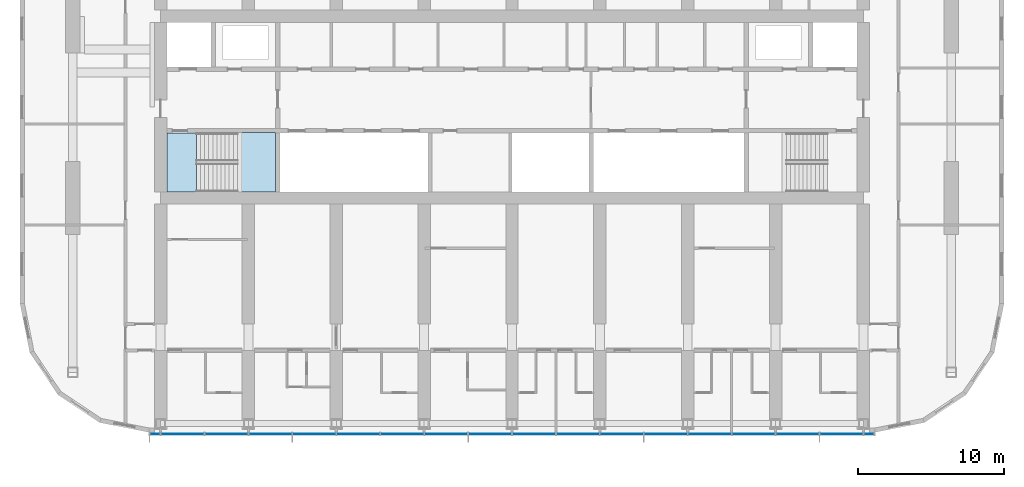
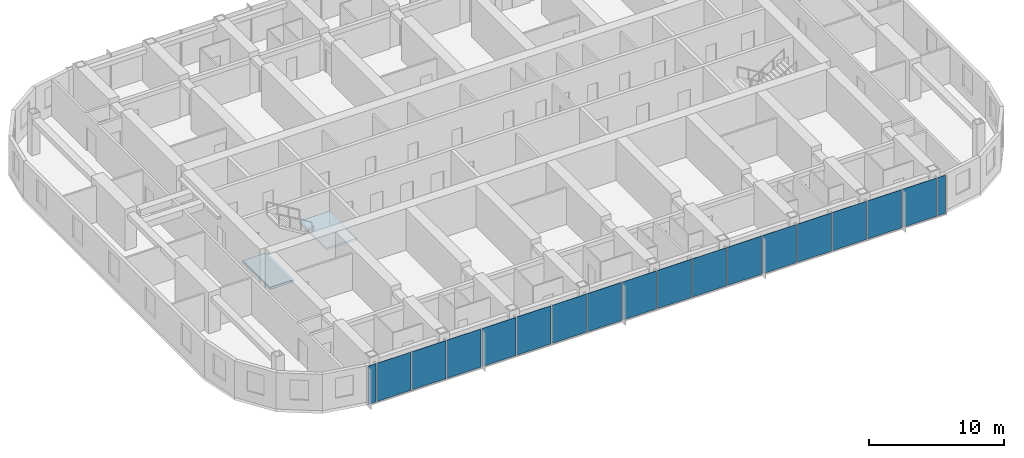
# One storey, part 7 of 23: 18 plates, 2 slabs, 2 elements without a shape of their own.
"""IFC4 building model written with IfcOpenShell, lengths in metres."""

from ifc_helpers import new_model, si_unit, direction, frame, origin, origin_2d, place, context, subcontext, project, spatial, polyline, rectangle, outline, extrude, material, layer, layer_set, type_object, element, aggregate, save


model = new_model("IFC4")

# Units and contexts
model_context = context("Model", 3, precision=1e-05, world=origin(), true_north=direction((0.0, 1.0)))
body_context = subcontext(model_context, "Body", "Model", "MODEL_VIEW")
ifc_project = project(units=[si_unit("LENGTHUNIT", "METRE"), si_unit("AREAUNIT", "SQUARE_METRE"), si_unit("VOLUMEUNIT", "CUBIC_METRE"), si_unit("PLANEANGLEUNIT", "RADIAN"), si_unit("MASSUNIT", "GRAM", prefix="KILO")], contexts=[model_context])

# Site, building, storey
site_placement = place(None, origin())
site = spatial("IfcSite", under=ifc_project, at=site_placement, CompositionType="ELEMENT")
building_placement = place(site_placement, origin())
building = spatial("IfcBuilding", under=site, at=building_placement, Name="Orbita Commons", CompositionType="ELEMENT")
storey_placement = place(building_placement, frame((0.0, 0.0, 174.85009765625)))
storey = spatial("IfcBuildingStorey", under=building, at=storey_placement, Name="L43", CompositionType="ELEMENT", Elevation=174.85009765625)

# Curtain wall, plates
ifc_material_1 = material(Name="Anodised aluminium frame, pale silver", Category="aluminium")
curtain_wall_type = type_object("IfcCurtainWallType", Name="Unitised curtain wall CW-U, full-height vision", PredefinedType="NOTDEFINED", material=ifc_material_1)
curtain_wall_placement = place(storey_placement, origin())
curtain_wall = element("IfcCurtainWall", 1, at=curtain_wall_placement, inside=storey, type_object=curtain_wall_type, Name="Curtain wall south L43", PredefinedType="NOTDEFINED")
ifc_material_2 = material(Name="Clear double glazing", Category="glass")
ifc_layer_1 = layer(ifc_material_2, 0.031982421875)
ifc_layer_set_1 = layer_set([ifc_layer_1], Name="Clear double glazing")
plate_type = type_object("IfcPlateType", Name="Full-height vision panel, clear glazing 32", PredefinedType="CURTAIN_PANEL", material=ifc_layer_set_1)
plate_1_placement = place(storey_placement, frame((17.6201171875, 9.68994140625, -0.14990234375), z_axis=(0.0, 0.0, 1.0), x_axis=(1.0, 0.0, 0.0)))
plate_1 = element("IfcPlate", 2, at=plate_1_placement, type_object=plate_type, Name="Panel 1.1 CW-L43-S", PredefinedType="CURTAIN_PANEL", context=body_context, shape_type="SweptSolid", body=[
    extrude(rectangle(XDim=0.679931640625, YDim=0.031982421875, at=origin_2d()), origin(), (0.0, 0.0, 1.0), 3.449951171875),
])
plate_2_placement = place(storey_placement, frame((19.5, 9.68994140625, -0.14990234375), z_axis=(0.0, 0.0, 1.0), x_axis=(1.0, 0.0, 0.0)))
plate_2 = element("IfcPlate", 3, at=plate_2_placement, type_object=plate_type, Name="Panel 2.1 CW-L43-S", PredefinedType="CURTAIN_PANEL", context=body_context, shape_type="SweptSolid", body=[
    extrude(rectangle(XDim=2.919921875, YDim=0.031982421875, at=origin_2d()), origin(), (0.0, 0.0, 1.0), 3.449951171875),
])
plate_3_placement = place(storey_placement, frame((22.5, 9.68994140625, -0.14990234375), z_axis=(0.0, 0.0, 1.0), x_axis=(1.0, 0.0, 0.0)))
plate_3 = element("IfcPlate", 4, at=plate_3_placement, type_object=plate_type, Name="Panel 3.1 CW-L43-S", PredefinedType="CURTAIN_PANEL", context=body_context, shape_type="SweptSolid", body=[
    extrude(rectangle(XDim=2.919921875, YDim=0.031982421875, at=origin_2d()), origin(), (0.0, 0.0, 1.0), 3.449951171875),
])
plate_4_placement = place(storey_placement, frame((25.5, 9.68994140625, -0.14990234375), z_axis=(0.0, 0.0, 1.0), x_axis=(1.0, 0.0, 0.0)))
plate_4 = element("IfcPlate", 5, at=plate_4_placement, type_object=plate_type, Name="Panel 4.1 CW-L43-S", PredefinedType="CURTAIN_PANEL", context=body_context, shape_type="SweptSolid", body=[
    extrude(rectangle(XDim=2.919921875, YDim=0.031982421875, at=origin_2d()), origin(), (0.0, 0.0, 1.0), 3.449951171875),
])
plate_5_placement = place(storey_placement, frame((28.5, 9.68994140625, -0.14990234375), z_axis=(0.0, 0.0, 1.0), x_axis=(1.0, 0.0, 0.0)))
plate_5 = element("IfcPlate", 6, at=plate_5_placement, type_object=plate_type, Name="Panel 5.1 CW-L43-S", PredefinedType="CURTAIN_PANEL", context=body_context, shape_type="SweptSolid", body=[
    extrude(rectangle(XDim=2.919921875, YDim=0.031982421875, at=origin_2d()), origin(), (0.0, 0.0, 1.0), 3.449951171875),
])
plate_6_placement = place(storey_placement, frame((31.5, 9.68994140625, -0.14990234375), z_axis=(0.0, 0.0, 1.0), x_axis=(1.0, 0.0, 0.0)))
plate_6 = element("IfcPlate", 7, at=plate_6_placement, type_object=plate_type, Name="Panel 6.1 CW-L43-S", PredefinedType="CURTAIN_PANEL", context=body_context, shape_type="SweptSolid", body=[
    extrude(rectangle(XDim=2.919921875, YDim=0.031982421875, at=origin_2d()), origin(), (0.0, 0.0, 1.0), 3.449951171875),
])
plate_7_placement = place(storey_placement, frame((34.5, 9.68994140625, -0.14990234375), z_axis=(0.0, 0.0, 1.0), x_axis=(1.0, 0.0, 0.0)))
plate_7 = element("IfcPlate", 8, at=plate_7_placement, type_object=plate_type, Name="Panel 7.1 CW-L43-S", PredefinedType="CURTAIN_PANEL", context=body_context, shape_type="SweptSolid", body=[
    extrude(rectangle(XDim=2.919921875, YDim=0.031982421875, at=origin_2d()), origin(), (0.0, 0.0, 1.0), 3.449951171875),
])
plate_8_placement = place(storey_placement, frame((37.5, 9.68994140625, -0.14990234375), z_axis=(0.0, 0.0, 1.0), x_axis=(1.0, 0.0, 0.0)))
plate_8 = element("IfcPlate", 9, at=plate_8_placement, type_object=plate_type, Name="Panel 8.1 CW-L43-S", PredefinedType="CURTAIN_PANEL", context=body_context, shape_type="SweptSolid", body=[
    extrude(rectangle(XDim=2.919921875, YDim=0.031982421875, at=origin_2d()), origin(), (0.0, 0.0, 1.0), 3.449951171875),
])
plate_9_placement = place(storey_placement, frame((40.5, 9.68994140625, -0.14990234375), z_axis=(0.0, 0.0, 1.0), x_axis=(1.0, 0.0, 0.0)))
plate_9 = element("IfcPlate", 10, at=plate_9_placement, type_object=plate_type, Name="Panel 9.1 CW-L43-S", PredefinedType="CURTAIN_PANEL", context=body_context, shape_type="SweptSolid", body=[
    extrude(rectangle(XDim=2.919921875, YDim=0.031982421875, at=origin_2d()), origin(), (0.0, 0.0, 1.0), 3.449951171875),
])
plate_10_placement = place(storey_placement, frame((43.5, 9.68994140625, -0.14990234375), z_axis=(0.0, 0.0, 1.0), x_axis=(1.0, 0.0, 0.0)))
plate_10 = element("IfcPlate", 11, at=plate_10_placement, type_object=plate_type, Name="Panel 10.1 CW-L43-S", PredefinedType="CURTAIN_PANEL", context=body_context, shape_type="SweptSolid", body=[
    extrude(rectangle(XDim=2.919921875, YDim=0.031982421875, at=origin_2d()), origin(), (0.0, 0.0, 1.0), 3.449951171875),
])
plate_11_placement = place(storey_placement, frame((46.5, 9.68994140625, -0.14990234375), z_axis=(0.0, 0.0, 1.0), x_axis=(1.0, 0.0, 0.0)))
plate_11 = element("IfcPlate", 12, at=plate_11_placement, type_object=plate_type, Name="Panel 11.1 CW-L43-S", PredefinedType="CURTAIN_PANEL", context=body_context, shape_type="SweptSolid", body=[
    extrude(rectangle(XDim=2.919921875, YDim=0.031982421875, at=origin_2d()), origin(), (0.0, 0.0, 1.0), 3.449951171875),
])
plate_12_placement = place(storey_placement, frame((49.5, 9.68994140625, -0.14990234375), z_axis=(0.0, 0.0, 1.0), x_axis=(1.0, 0.0, 0.0)))
plate_12 = element("IfcPlate", 13, at=plate_12_placement, type_object=plate_type, Name="Panel 12.1 CW-L43-S", PredefinedType="CURTAIN_PANEL", context=body_context, shape_type="SweptSolid", body=[
    extrude(rectangle(XDim=2.919921875, YDim=0.031982421875, at=origin_2d()), origin(), (0.0, 0.0, 1.0), 3.449951171875),
])
plate_13_placement = place(storey_placement, frame((52.5, 9.68994140625, -0.14990234375), z_axis=(0.0, 0.0, 1.0), x_axis=(1.0, 0.0, 0.0)))
plate_13 = element("IfcPlate", 14, at=plate_13_placement, type_object=plate_type, Name="Panel 13.1 CW-L43-S", PredefinedType="CURTAIN_PANEL", context=body_context, shape_type="SweptSolid", body=[
    extrude(rectangle(XDim=2.919921875, YDim=0.031982421875, at=origin_2d()), origin(), (0.0, 0.0, 1.0), 3.449951171875),
])
plate_14_placement = place(storey_placement, frame((55.5, 9.68994140625, -0.14990234375), z_axis=(0.0, 0.0, 1.0), x_axis=(1.0, 0.0, 0.0)))
plate_14 = element("IfcPlate", 15, at=plate_14_placement, type_object=plate_type, Name="Panel 14.1 CW-L43-S", PredefinedType="CURTAIN_PANEL", context=body_context, shape_type="SweptSolid", body=[
    extrude(rectangle(XDim=2.919921875, YDim=0.031982421875, at=origin_2d()), origin(), (0.0, 0.0, 1.0), 3.449951171875),
])
plate_15_placement = place(storey_placement, frame((58.5, 9.68994140625, -0.14990234375), z_axis=(0.0, 0.0, 1.0), x_axis=(1.0, 0.0, 0.0)))
plate_15 = element("IfcPlate", 16, at=plate_15_placement, type_object=plate_type, Name="Panel 15.1 CW-L43-S", PredefinedType="CURTAIN_PANEL", context=body_context, shape_type="SweptSolid", body=[
    extrude(rectangle(XDim=2.919921875, YDim=0.031982421875, at=origin_2d()), origin(), (0.0, 0.0, 1.0), 3.449951171875),
])
plate_16_placement = place(storey_placement, frame((61.5, 9.68994140625, -0.14990234375), z_axis=(0.0, 0.0, 1.0), x_axis=(1.0, 0.0, 0.0)))
plate_16 = element("IfcPlate", 17, at=plate_16_placement, type_object=plate_type, Name="Panel 16.1 CW-L43-S", PredefinedType="CURTAIN_PANEL", context=body_context, shape_type="SweptSolid", body=[
    extrude(rectangle(XDim=2.919921875, YDim=0.031982421875, at=origin_2d()), origin(), (0.0, 0.0, 1.0), 3.449951171875),
])
plate_17_placement = place(storey_placement, frame((64.5, 9.68994140625, -0.14990234375), z_axis=(0.0, 0.0, 1.0), x_axis=(1.0, 0.0, 0.0)))
plate_17 = element("IfcPlate", 18, at=plate_17_placement, type_object=plate_type, Name="Panel 17.1 CW-L43-S", PredefinedType="CURTAIN_PANEL", context=body_context, shape_type="SweptSolid", body=[
    extrude(rectangle(XDim=2.919921875, YDim=0.031982421875, at=origin_2d()), origin(), (0.0, 0.0, 1.0), 3.449951171875),
])
plate_18_placement = place(storey_placement, frame((66.3798828125, 9.68994140625, -0.14990234375), z_axis=(0.0, 0.0, 1.0), x_axis=(1.0, 0.0, 0.0)))
plate_18 = element("IfcPlate", 19, at=plate_18_placement, type_object=plate_type, Name="Panel 18.1 CW-L43-S", PredefinedType="CURTAIN_PANEL", context=body_context, shape_type="SweptSolid", body=[
    extrude(rectangle(XDim=0.679931640625, YDim=0.031982421875, at=origin_2d()), origin(), (0.0, 0.0, 1.0), 3.449951171875),
])
aggregate(curtain_wall, [plate_1, plate_2, plate_3, plate_4, plate_5, plate_6, plate_7, plate_8, plate_9, plate_10, plate_11, plate_12, plate_13, plate_14, plate_15, plate_16, plate_17, plate_18])

# Stair, slabs
ifc_material_3 = material(Name="Precast concrete C40/50", Category="concrete")
stair_type = type_object("IfcStairType", Name="Exit stair S1 2 flights 11 risers 170", PredefinedType="HALF_TURN_STAIR", material=ifc_material_3)
stair_placement = place(storey_placement, origin())
stair = element("IfcStair", 20, at=stair_placement, inside=storey, type_object=stair_type, Name="Exit stair S1 L43", PredefinedType="HALF_TURN_STAIR")
ifc_material_4 = material(Name="Concrete C40/50", Category="concrete")
ifc_layer_2 = layer(ifc_material_4, 0.199951171875)
ifc_layer_set_2 = layer_set([ifc_layer_2], Name="Concrete C40/50")
slab_type = type_object("IfcSlabType", Name="Stair landing 200", PredefinedType="LANDING", material=ifc_layer_set_2)
slab_1_placement = place(storey_placement, frame((0.0, 0.0, -0.2001953125)))
slab_1 = element("IfcSlab", 21, at=slab_1_placement, type_object=slab_type, Name="S1 landing 1", PredefinedType="LANDING", context=body_context, shape_type="SweptSolid", body=[
    extrude(outline(polyline([(18.425048828125, 26.22509765625), (20.449951171875, 26.22509765625), (20.449951171875, 30.25), (18.425048828125, 30.25), (18.425048828125, 26.22509765625)])), origin(), (0.0, 0.0, 1.0), 0.2001953125),
])
slab_2_placement = place(storey_placement, frame((0.0, 0.0, 1.6748046875)))
slab_2 = element("IfcSlab", 22, at=slab_2_placement, type_object=slab_type, Name="S1 landing 2", PredefinedType="LANDING", context=body_context, shape_type="SweptSolid", body=[
    extrude(outline(polyline([(23.25, 26.2099609375), (25.864990234375, 26.2099609375), (25.864990234375, 30.264892578125), (23.25, 30.264892578125), (23.25, 26.2099609375)])), origin(), (0.0, 0.0, 1.0), 0.2001953125),
])
aggregate(stair, [slab_1, slab_2])

save(model, "model.ifc")
